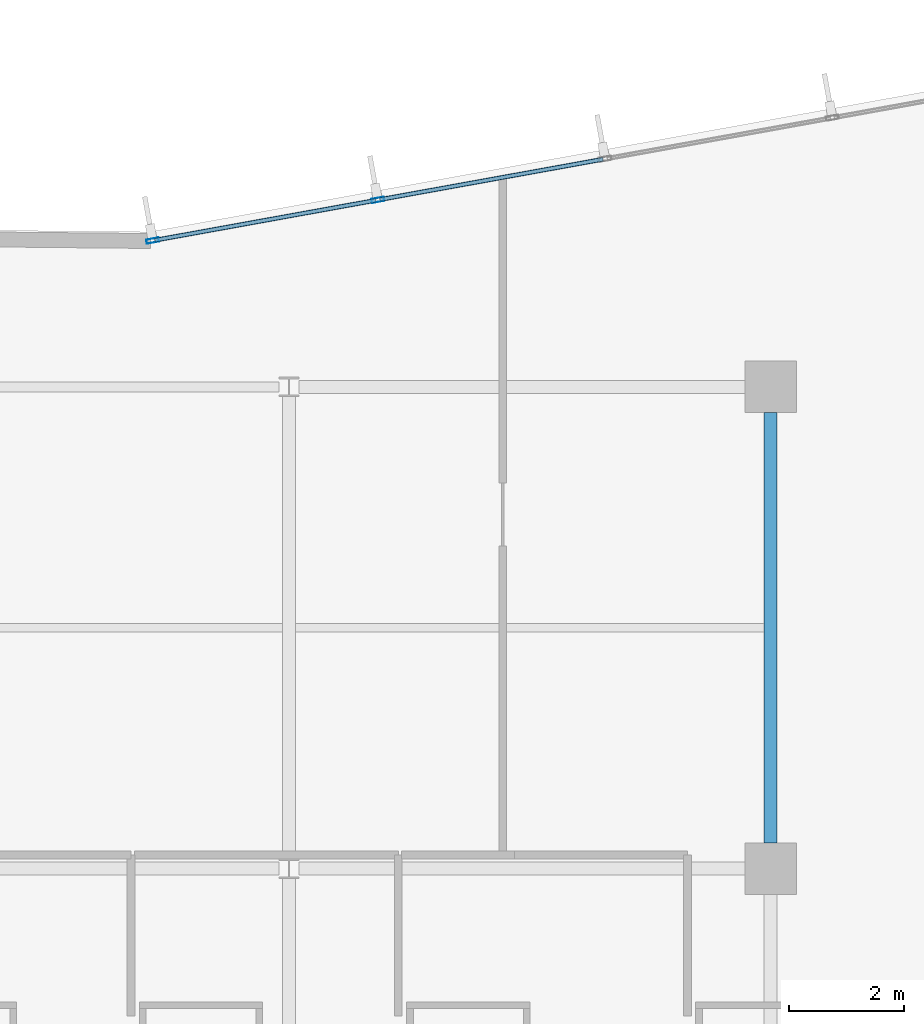
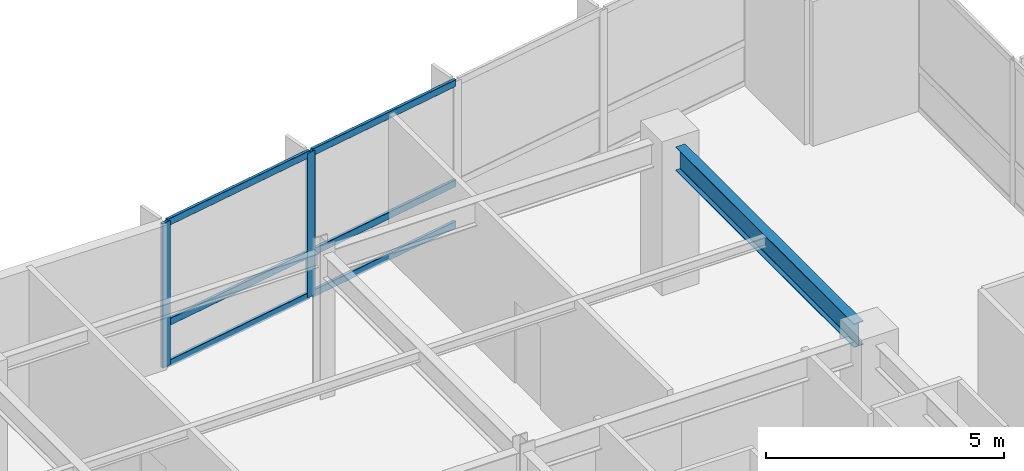
# One storey, part 7 of 21: 8 members, 1 beam, 1 element without a shape of its own.
"""IFC4 building model written with IfcOpenShell, lengths in metres."""

import ifcopenshell
import ifcopenshell.guid

model = None  # the IFC model being written
_history = None  # IfcOwnerHistory: only IFC2X3 demands one
_inside = {}  # id of a spatial element -> (the spatial element, [elements in it])
_under = {}  # id of a project, library or spatial element -> (it, [spatial elements below it])
_declared = {}  # id of a project -> (the project, [libraries it declares])
_typed = {}  # id of a type object -> (the type object, [elements of that type])
_made_of = {}  # id of a material, layer set ... -> (it, [elements and type objects made of it])


def new_model(schema):
    """Start an empty IFC model of exactly this schema.

    Asked for "IFC4X3", IfcOpenShell would pick the latest addendum, in which some entities
    have other attributes; the version numbers below select the first issue.
    IFC2X3 requires an IfcOwnerHistory on every rooted entity: one is made here for all.
    """
    global model, _history
    if schema == "IFC4X3":
        model = ifcopenshell.file(schema_version=(4, 3, 0, 0))
    else:
        model = ifcopenshell.file(schema=schema)
    _inside.clear()
    _under.clear()
    _declared.clear()
    _typed.clear()
    _made_of.clear()
    _history = None
    if model.schema == "IFC2X3":
        org = make("IfcOrganization", Name="unknown")
        user = make(
            "IfcPersonAndOrganization",
            ThePerson=make("IfcPerson", FamilyName="unknown"),
            TheOrganization=org,
        )
        app = make(
            "IfcApplication",
            ApplicationDeveloper=org,
            Version="unknown",
            ApplicationFullName="unknown",
            ApplicationIdentifier="unknown",
        )
        _history = make(
            "IfcOwnerHistory",
            OwningUser=user,
            OwningApplication=app,
            ChangeAction="ADDED",
            CreationDate=0,
        )
    return model


def make(cls, **values):
    """One entity of the class cls with the attributes given. An attribute that is None is left unset."""
    return model.create_entity(
        cls, **{name: value for name, value in values.items() if value is not None}
    )


def rooted(cls, **values):
    """An entity with a GlobalId (a new one), such as an element, a storey or a relation."""
    return make(cls, GlobalId=ifcopenshell.guid.new(), OwnerHistory=_history, **values)


def si_unit(unit_type, name, prefix=None):
    """IfcSIUnit, for example si_unit("LENGTHUNIT", "METRE", prefix="MILLI")."""
    return make("IfcSIUnit", UnitType=unit_type, Prefix=prefix, Name=name)


def assignment(units):
    """IfcUnitAssignment: the units of a project."""
    return None if units is None else make("IfcUnitAssignment", Units=units)


def point(xyz):
    """IfcCartesianPoint."""
    return None if xyz is None else make("IfcCartesianPoint", Coordinates=xyz)


def direction(xyz):
    """IfcDirection."""
    return None if xyz is None else make("IfcDirection", DirectionRatios=xyz)


def frame(location, z_axis=None, x_axis=None):
    """IfcAxis2Placement3D, a coordinate frame: its origin and axes. An axis left out is left unset."""
    return make(
        "IfcAxis2Placement3D",
        Location=point(location),
        Axis=direction(z_axis),
        RefDirection=direction(x_axis),
    )


def frame_2d(location, x_axis=None):
    """IfcAxis2Placement2D, a coordinate frame in the plane: its origin and x axis."""
    return make(
        "IfcAxis2Placement2D", Location=point(location), RefDirection=direction(x_axis)
    )


def origin():
    """The frame at (0, 0, 0) with its axes left unset."""
    return frame((0.0, 0.0, 0.0))


def origin_2d():
    """The frame at (0, 0) in the plane with its x axis left unset."""
    return frame_2d((0.0, 0.0))


def place(relative_to, where):
    """IfcLocalPlacement: puts the frame where relative to a parent placement (None: the world)."""
    return make(
        "IfcLocalPlacement", PlacementRelTo=relative_to, RelativePlacement=where
    )


def context(
    kind, dimensions, precision=None, world=None, true_north=None, identifier=None
):
    """IfcGeometricRepresentationContext, for example the 3D "Model" context."""
    return make(
        "IfcGeometricRepresentationContext",
        ContextIdentifier=identifier,
        ContextType=kind,
        CoordinateSpaceDimension=dimensions,
        Precision=precision,
        WorldCoordinateSystem=world,
        TrueNorth=true_north,
    )


def subcontext(parent, identifier, kind, view, scale=None):
    """IfcGeometricRepresentationSubContext, for example "Body" below "Model"."""
    return make(
        "IfcGeometricRepresentationSubContext",
        ContextIdentifier=identifier,
        ContextType=kind,
        ParentContext=parent,
        TargetScale=scale,
        TargetView=view,
    )


def project(units=None, contexts=None):
    """IfcProject with its units and contexts."""
    return rooted(
        "IfcProject",
        Name="project",
        RepresentationContexts=contexts,
        UnitsInContext=assignment(units),
    )


def spatial(cls, under=None, at=None, **own):
    """A site, building, storey or space (cls), placed at a placement, below another one or the project."""
    s = rooted(cls, ObjectPlacement=at, **own)
    if under is not None:
        _under.setdefault(under.id(), (under, []))[1].append(s)
    return s


def profile(cls, at=None, kind="AREA", **sizes):
    """A parametric profile (cls). Its sizes go by their IFC names, for example OverallWidth=200.0."""
    return make(cls, ProfileType=kind, Position=at, **sizes)


def hollow_rectangle(**sizes):
    """IfcRectangleHollowProfileDef."""
    return profile("IfcRectangleHollowProfileDef", **sizes)


def i_section(**sizes):
    """IfcIShapeProfileDef."""
    return profile("IfcIShapeProfileDef", **sizes)


def extrude(swept, where, along, depth):
    """IfcExtrudedAreaSolid: the profile swept, set in the frame where, extruded along a direction by depth."""
    return make(
        "IfcExtrudedAreaSolid",
        SweptArea=swept,
        Position=where,
        ExtrudedDirection=direction(along),
        Depth=depth,
    )


def shape(context_of_items, identifier, shape_type, items):
    """IfcShapeRepresentation: the items that make up one representation, for example the "Body"."""
    return make(
        "IfcShapeRepresentation",
        ContextOfItems=context_of_items,
        RepresentationIdentifier=identifier,
        RepresentationType=shape_type,
        Items=items,
    )


def material(Name=None, Category=None):
    """IfcMaterial."""
    return make("IfcMaterial", Name=Name, Category=Category)


def layer(
    of_material, thickness, ventilated=None, Name=None, Category=None, Priority=None
):
    """IfcMaterialLayer: one layer of a wall or slab, of a material (None: an air gap)."""
    return make(
        "IfcMaterialLayer",
        Material=of_material,
        LayerThickness=thickness,
        IsVentilated=ventilated,
        Name=Name,
        Category=Category,
        Priority=Priority,
    )


def layer_set(layers, Name=None):
    """IfcMaterialLayerSet."""
    return make("IfcMaterialLayerSet", MaterialLayers=layers, LayerSetName=Name)


def material_profile(
    of_material, cross_section, Name=None, Category=None, Priority=None
):
    """IfcMaterialProfile: a cross section and its material."""
    return make(
        "IfcMaterialProfile",
        Name=Name,
        Material=of_material,
        Profile=cross_section,
        Priority=Priority,
        Category=Category,
    )


def profile_set(profiles, Name=None, composite=None):
    """IfcMaterialProfileSet."""
    return make(
        "IfcMaterialProfileSet",
        Name=Name,
        MaterialProfiles=profiles,
        CompositeProfile=composite,
    )


def made_of(thing, what):
    """Note that an element or type object is made of a material, layer set ...; save() writes the relation."""
    if what is not None:
        _made_of.setdefault(what.id(), (what, []))[1].append(thing)
    return thing


def type_object(cls, material=None, **own):
    """A type object (cls), such as IfcWallType, which elements share."""
    return made_of(rooted(cls, **own), material)


def element(
    cls,
    number,
    at=None,
    inside=None,
    cuts=None,
    type_object=None,
    material=None,
    context=None,
    identifier="Body",
    shape_type=None,
    held_by="IfcProductDefinitionShape",
    body=None,
    shapes=None,
    **own,
):
    """One element of the class cls, such as IfcWall. Its Tag is "e" and its number.

    at: its placement. inside: the storey or other place that contains it. cuts: it is an
    opening in that element (IfcRelVoidsElement). A single representation is given by context,
    identifier, shape_type and body (its items); several are given by shapes. held_by: the class
    of the entity that holds the representations. save() writes the other relations.
    """
    e = rooted(cls, Tag="e%d" % number, ObjectPlacement=at, **own)
    if body is not None:
        shapes = [shape(context, identifier, shape_type, body)]
    if shapes is not None:
        e.Representation = make(held_by, Representations=shapes)
    if inside is not None:
        _inside.setdefault(inside.id(), (inside, []))[1].append(e)
    if cuts is not None:
        rooted(
            "IfcRelVoidsElement", RelatingBuildingElement=cuts, RelatedOpeningElement=e
        )
    if type_object is not None:
        _typed.setdefault(type_object.id(), (type_object, []))[1].append(e)
    return made_of(e, material)


def aggregate(whole, parts):
    """IfcRelAggregates: a whole, such as a stair, and the parts it consists of."""
    return rooted("IfcRelAggregates", RelatingObject=whole, RelatedObjects=parts)


def save(model, path):
    """Write the relations noted so far, then the file.

    IfcRelAggregates (storeys below a building ...), IfcRelContainedInSpatialStructure (elements
    in a storey), IfcRelDefinesByType, IfcRelAssociatesMaterial and IfcRelDeclares: one each for
    every whole, place, type object, material and project.
    """
    for whole, parts in _under.values():
        aggregate(whole, parts)
    for where, things in _inside.values():
        rooted(
            "IfcRelContainedInSpatialStructure",
            RelatedElements=things,
            RelatingStructure=where,
        )
    for kind, things in _typed.values():
        rooted("IfcRelDefinesByType", RelatedObjects=things, RelatingType=kind)
    for what, things in _made_of.values():
        rooted("IfcRelAssociatesMaterial", RelatedObjects=things, RelatingMaterial=what)
    for by, libraries in _declared.values():
        rooted("IfcRelDeclares", RelatingContext=by, RelatedDefinitions=libraries)
    model.write(path)


model = new_model("IFC4")

# Units and contexts
model_context = context("Model", 3, precision=1e-05, world=origin(), true_north=direction((0.0, 1.0)))
body_context = subcontext(model_context, "Body", "Model", "MODEL_VIEW")
ifc_project = project(units=[si_unit("LENGTHUNIT", "METRE"), si_unit("AREAUNIT", "SQUARE_METRE"), si_unit("VOLUMEUNIT", "CUBIC_METRE"), si_unit("PLANEANGLEUNIT", "RADIAN"), si_unit("MASSUNIT", "GRAM", prefix="KILO")], contexts=[model_context])

# Site, building, storey
site_placement = place(None, origin())
site = spatial("IfcSite", under=ifc_project, at=site_placement, CompositionType="ELEMENT")
building_placement = place(site_placement, origin())
building = spatial("IfcBuilding", under=site, at=building_placement, Name="Varnakote Quay Hospital", CompositionType="ELEMENT")
storey_placement = place(building_placement, frame((0.0, 0.0, 38.300048828125)))
storey = spatial("IfcBuildingStorey", under=building, at=storey_placement, Name="L09", CompositionType="ELEMENT", Elevation=38.300048828125)

# Beam
ifc_material_1 = material(Name="Structural steel AS/NZS 3679.1 Grade 350 L0 (fy 340 MPa)", Category="steel")
ifc_material_profile_1 = material_profile(ifc_material_1, i_section(OverallWidth=0.22900390625, OverallDepth=0.612060546875, WebThickness=0.011962890625, FlangeThickness=0.01953125, FilletRadius=0.013916015625, at=origin_2d()), Name="610UB125")
ifc_profile_set_1 = profile_set([ifc_material_profile_1], Name="Structural steel AS/NZS 3679.1 Grade 350 L0 (fy 340 MPa)")
beam_type = type_object("IfcBeamType", Name="BM-STL-610UB125", PredefinedType="BEAM", material=ifc_profile_set_1)
beam_placement = place(storey_placement, frame((50.39990234375, 20.85009765625, 3.404052734375), z_axis=(0.0, 1.0, 0.0), x_axis=(-1.0, 0.0, 0.0)))
element("IfcBeam", 1, at=beam_placement, inside=storey, type_object=beam_type, Name="L09 Primary Tie Beam", PredefinedType="BEAM", context=body_context, shape_type="SweptSolid", body=[
    extrude(i_section(OverallWidth=0.22900390625, OverallDepth=0.612060546875, WebThickness=0.011962890625, FlangeThickness=0.01953125, FilletRadius=0.013916015625, at=origin_2d()), origin(), (0.0, 0.0, 1.0), 7.5),
])

# Curtain wall, members
ifc_material_2 = material(Name="Anodised aluminium 6063-T6 Bronze", Category="aluminium")
ifc_layer = layer(ifc_material_2, 0.18994140625)
ifc_layer_set = layer_set([ifc_layer], Name="Anodised aluminium 6063-T6 Bronze")
curtain_wall_type = type_object("IfcCurtainWallType", Name="CW-SYS-2", PredefinedType="NOTDEFINED", material=ifc_layer_set)
curtain_wall_placement = place(storey_placement, origin())
curtain_wall = element("IfcCurtainWall", 2, at=curtain_wall_placement, inside=storey, type_object=curtain_wall_type, Name="L09 Unitised Bronze Curtain Wall 2", PredefinedType="NOTDEFINED")
ifc_material_3 = material(Name="Anodised aluminium 6063-T6 Bronze", Category="aluminium")
ifc_material_profile_2 = material_profile(ifc_material_3, hollow_rectangle(XDim=0.074951171875, YDim=0.219970703125, WallThickness=0.00439453125, InnerFilletRadius=0.00439453125, OuterFilletRadius=0.009033203125, at=origin_2d()), Name="CW-MULL-220x75")
ifc_profile_set_2 = profile_set([ifc_material_profile_2], Name="Anodised aluminium 6063-T6 Bronze")
member_type_1 = type_object("IfcMemberType", Name="CW-MULL-220x75", PredefinedType="MULLION", material=ifc_profile_set_2)
member_1_placement = place(storey_placement, frame((43.55224609375, 32.06005859375, 0.0), z_axis=(0.0, 0.0, 1.0), x_axis=(0.177846199098, -0.984058295766, 0.0)))
member_1 = element("IfcMember", 3, at=member_1_placement, type_object=member_type_1, Name="-2-L09-2 mullion 4", PredefinedType="MULLION", context=body_context, shape_type="SweptSolid", body=[
    extrude(hollow_rectangle(XDim=0.074951171875, YDim=0.219970703125, WallThickness=0.00439453125, InnerFilletRadius=0.00439453125, OuterFilletRadius=0.009033203125, at=origin_2d()), origin(), (0.0, 0.0, 1.0), 3.7099609375),
])
member_2_placement = place(storey_placement, frame((39.62646484375, 31.3505859375, 0.0), z_axis=(0.0, 0.0, 1.0), x_axis=(0.177846199098, -0.984058295766, 0.0)))
member_2 = element("IfcMember", 4, at=member_2_placement, type_object=member_type_1, Name="-2-L09-2 mullion 5", PredefinedType="MULLION", context=body_context, shape_type="SweptSolid", body=[
    extrude(hollow_rectangle(XDim=0.074951171875, YDim=0.219970703125, WallThickness=0.00439453125, InnerFilletRadius=0.00439453125, OuterFilletRadius=0.009033203125, at=origin_2d()), origin(), (0.0, 0.0, 1.0), 3.7099609375),
])
ifc_material_4 = material(Name="Anodised aluminium 6063-T6 Bronze", Category="aluminium")
ifc_material_profile_3 = material_profile(ifc_material_4, hollow_rectangle(XDim=0.074951171875, YDim=0.179931640625, WallThickness=0.004150390625, InnerFilletRadius=0.004150390625, OuterFilletRadius=0.00830078125, at=origin_2d()), Name="CW-TRAN-180x75")
ifc_profile_set_3 = profile_set([ifc_material_profile_3], Name="Anodised aluminium 6063-T6 Bronze")
member_type_2 = type_object("IfcMemberType", Name="CW-TRAN-180x75", PredefinedType="USERDEFINED", material=ifc_profile_set_3)
member_3_placement = place(storey_placement, frame((47.477783203125, 32.76953125, 0.037353515625), z_axis=(-0.98405423478, -0.177868667876, 0.0), x_axis=(0.177868667876, -0.98405423478, 0.0)))
member_3 = element("IfcMember", 5, at=member_3_placement, type_object=member_type_2, Name="-2-L09-2 transom 3.1", ObjectType="TRANSOM", PredefinedType="USERDEFINED", context=body_context, shape_type="SweptSolid", body=[
    extrude(hollow_rectangle(XDim=0.074951171875, YDim=0.179931640625, WallThickness=0.004150390625, InnerFilletRadius=0.004150390625, OuterFilletRadius=0.00830078125, at=origin_2d()), origin(), (0.0, 0.0, 1.0), 3.95166015625),
])
member_4_placement = place(storey_placement, frame((47.477783203125, 32.76953125, 1.099853515625), z_axis=(-0.98405423478, -0.177868667876, 0.0), x_axis=(0.177868667876, -0.98405423478, 0.0)))
member_4 = element("IfcMember", 6, at=member_4_placement, type_object=member_type_2, Name="-2-L09-2 transom 3.2", ObjectType="TRANSOM", PredefinedType="USERDEFINED", context=body_context, shape_type="SweptSolid", body=[
    extrude(hollow_rectangle(XDim=0.074951171875, YDim=0.179931640625, WallThickness=0.004150390625, InnerFilletRadius=0.004150390625, OuterFilletRadius=0.00830078125, at=origin_2d()), origin(), (0.0, 0.0, 1.0), 3.95166015625),
])
member_5_placement = place(storey_placement, frame((47.477783203125, 32.76953125, 3.67236328125), z_axis=(-0.98405423478, -0.177868667876, 0.0), x_axis=(0.177868667876, -0.98405423478, 0.0)))
member_5 = element("IfcMember", 7, at=member_5_placement, type_object=member_type_2, Name="-2-L09-2 transom 3.3", ObjectType="TRANSOM", PredefinedType="USERDEFINED", context=body_context, shape_type="SweptSolid", body=[
    extrude(hollow_rectangle(XDim=0.074951171875, YDim=0.179931640625, WallThickness=0.004150390625, InnerFilletRadius=0.004150390625, OuterFilletRadius=0.00830078125, at=origin_2d()), origin(), (0.0, 0.0, 1.0), 3.95166015625),
])
member_6_placement = place(storey_placement, frame((43.515380859375, 32.053466796875, 0.037353515625), z_axis=(-0.984053005206, -0.177875470329, 0.0), x_axis=(0.177875470329, -0.984053005206, 0.0)))
member_6 = element("IfcMember", 8, at=member_6_placement, type_object=member_type_2, Name="-2-L09-2 transom 4.1", ObjectType="TRANSOM", PredefinedType="USERDEFINED", context=body_context, shape_type="SweptSolid", body=[
    extrude(hollow_rectangle(XDim=0.074951171875, YDim=0.179931640625, WallThickness=0.004150390625, InnerFilletRadius=0.004150390625, OuterFilletRadius=0.00830078125, at=origin_2d()), origin(), (0.0, 0.0, 1.0), 3.91455078125),
])
member_7_placement = place(storey_placement, frame((43.515380859375, 32.053466796875, 1.099853515625), z_axis=(-0.984053005206, -0.177875470329, 0.0), x_axis=(0.177875470329, -0.984053005206, 0.0)))
member_7 = element("IfcMember", 9, at=member_7_placement, type_object=member_type_2, Name="-2-L09-2 transom 4.2", ObjectType="TRANSOM", PredefinedType="USERDEFINED", context=body_context, shape_type="SweptSolid", body=[
    extrude(hollow_rectangle(XDim=0.074951171875, YDim=0.179931640625, WallThickness=0.004150390625, InnerFilletRadius=0.004150390625, OuterFilletRadius=0.00830078125, at=origin_2d()), origin(), (0.0, 0.0, 1.0), 3.91455078125),
])
member_8_placement = place(storey_placement, frame((43.515380859375, 32.053466796875, 3.67236328125), z_axis=(-0.984053005206, -0.177875470329, 0.0), x_axis=(0.177875470329, -0.984053005206, 0.0)))
member_8 = element("IfcMember", 10, at=member_8_placement, type_object=member_type_2, Name="-2-L09-2 transom 4.3", ObjectType="TRANSOM", PredefinedType="USERDEFINED", context=body_context, shape_type="SweptSolid", body=[
    extrude(hollow_rectangle(XDim=0.074951171875, YDim=0.179931640625, WallThickness=0.004150390625, InnerFilletRadius=0.004150390625, OuterFilletRadius=0.00830078125, at=origin_2d()), origin(), (0.0, 0.0, 1.0), 3.91455078125),
])
aggregate(curtain_wall, [member_1, member_2, member_3, member_4, member_5, member_6, member_7, member_8])

save(model, "model.ifc")
